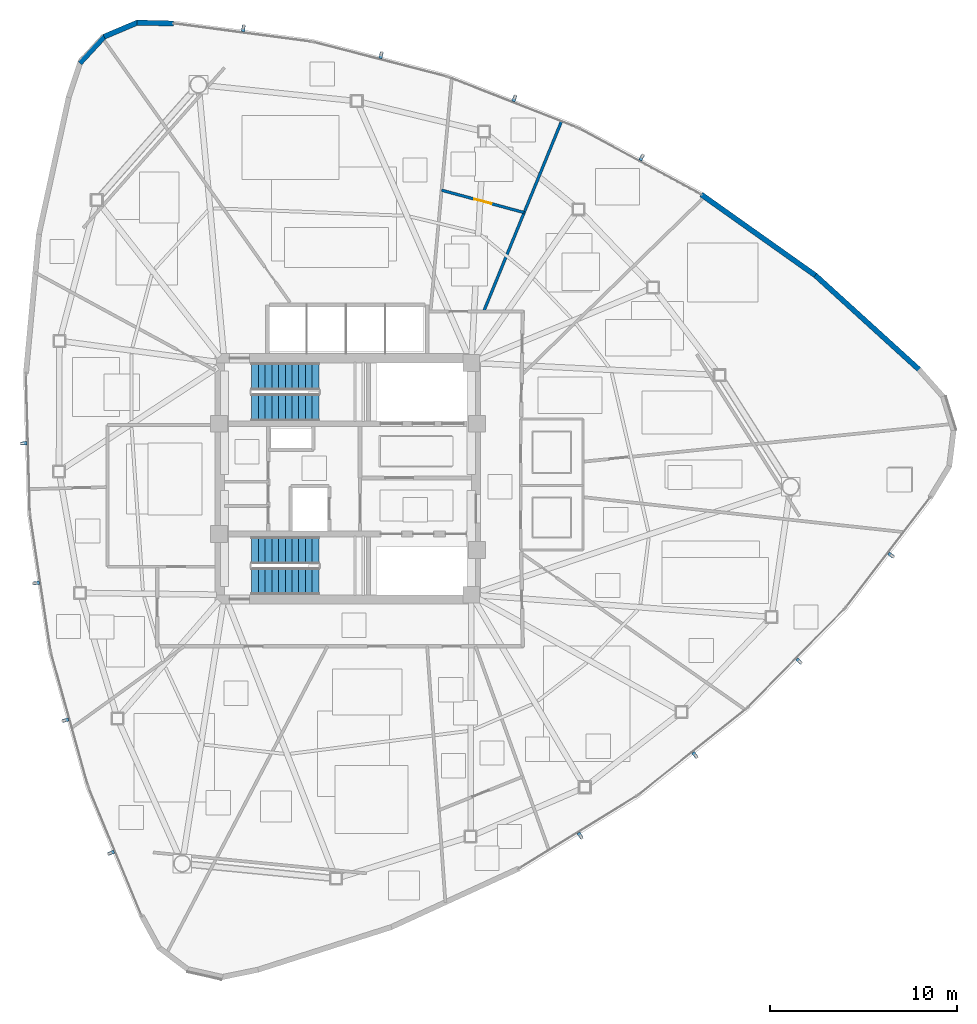
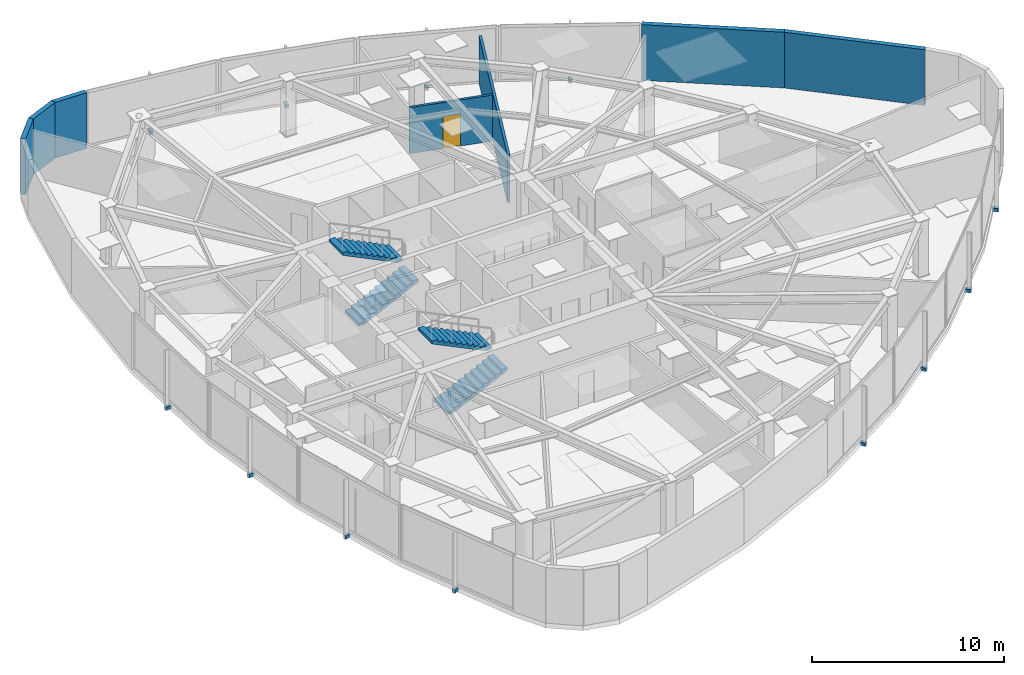
# One storey, part 14 of 18: 12 discrete accessories, 7 walls, 4 stair flights, 1 door, 1 opening, 2 elements without a shape of their own.
"""IFC4 building model written with IfcOpenShell, lengths in metres."""

from ifc_helpers import new_model, si_unit, direction, frame, frame_2d, origin, origin_2d, place, context, subcontext, project, spatial, polyline, rectangle, outline, extrude, source, transform, mapped, material, layer, layer_set, type_object, type_shapes, element, fill, aggregate, save


model = new_model("IFC4")

# Units and contexts
model_context = context("Model", 3, precision=1e-05, world=origin(), true_north=direction((0.0, 1.0)))
body_context = subcontext(model_context, "Body", "Model", "MODEL_VIEW")
ifc_project = project(units=[si_unit("LENGTHUNIT", "METRE"), si_unit("AREAUNIT", "SQUARE_METRE"), si_unit("VOLUMEUNIT", "CUBIC_METRE"), si_unit("PLANEANGLEUNIT", "RADIAN"), si_unit("MASSUNIT", "GRAM", prefix="KILO")], contexts=[model_context])

# Site, building, storey
site_placement = place(None, origin())
site = spatial("IfcSite", under=ifc_project, at=site_placement, CompositionType="ELEMENT")
building_placement = place(site_placement, origin())
building = spatial("IfcBuilding", under=site, at=building_placement, Name="Tavelor Broadcast Tower", CompositionType="ELEMENT")
storey_placement = place(building_placement, frame((0.0, 0.0, 181.050048828125)))
storey = spatial("IfcBuildingStorey", under=building, at=storey_placement, Name="L43", CompositionType="ELEMENT", Elevation=181.050048828125)

# Walls
ifc_material_1 = material(Name="Precast Concrete C40/50", Category="concrete")
ifc_layer_1 = layer(ifc_material_1, 0.280029296875)
ifc_layer_set_1 = layer_set([ifc_layer_1], Name="Precast Concrete C40/50")
wall_type_1 = type_object("IfcWallType", Name="Insulated Precast Terracotta Facade Wall 280 mm", PredefinedType="STANDARD", material=ifc_layer_set_1)
wall_1_placement = place(storey_placement, frame((40.672119140625, 69.35498046875, 0.0), z_axis=(0.0, 0.0, 1.0), x_axis=(-0.999720906983, 0.023624312506, 0.0)))
element("IfcWall", 1, at=wall_1_placement, inside=storey, type_object=wall_type_1, Name="L43 Rounded Corner Structural Cladding Pier 01", PredefinedType="STANDARD", context=body_context, shape_type="SweptSolid", body=[
    extrude(rectangle(XDim=1.953125, YDim=0.280029296875, at=frame_2d((0.9765625, 0.0))), origin(), (0.0, 0.0, 1.0), 3.550048828125),
])
wall_2_placement = place(storey_placement, frame((38.748291015625, 69.406494140625, 0.0), z_axis=(0.0, 0.0, 1.0), x_axis=(-0.920866543543, -0.389877941134, 0.0)))
element("IfcWall", 2, at=wall_2_placement, inside=storey, type_object=wall_type_1, Name="L43 Rounded Corner Structural Cladding Pier 02", PredefinedType="STANDARD", context=body_context, shape_type="SweptSolid", body=[
    extrude(rectangle(XDim=1.941162109375, YDim=0.280029296875, at=frame_2d((0.970703125, 0.0))), origin(), (0.0, 0.0, 1.0), 3.550048828125),
])
wall_3_placement = place(storey_placement, frame((36.98486328125, 68.66650390625, 0.0), z_axis=(0.0, 0.0, 1.0), x_axis=(-0.6788335602, -0.73429217451, 0.0)))
element("IfcWall", 3, at=wall_3_placement, inside=storey, type_object=wall_type_1, Name="L43 Rounded Corner Structural Cladding Pier 03", PredefinedType="STANDARD", context=body_context, shape_type="SweptSolid", body=[
    extrude(rectangle(XDim=1.94140625, YDim=0.280029296875, at=frame_2d((0.970703125, 0.0))), origin(), (0.0, 0.0, 1.0), 3.550048828125),
])
wall_4_placement = place(storey_placement, frame((80.560546875, 50.832763671875, 0.0), z_axis=(0.0, 0.0, 1.0), x_axis=(-0.7399165635, 0.672698653974, 0.0)))
element("IfcWall", 4, at=wall_4_placement, inside=storey, type_object=wall_type_1, Name="L43 Rounded Corner Structural Cladding Pier 25", PredefinedType="STANDARD", context=body_context, shape_type="SweptSolid", body=[
    extrude(rectangle(XDim=7.518310546875, YDim=0.280029296875, at=frame_2d((3.75927734375, 0.0))), origin(), (0.0, 0.0, 1.0), 3.550048828125),
])
wall_5_placement = place(storey_placement, frame((75.02099609375, 55.87158203125, 0.0), z_axis=(0.0, 0.0, 1.0), x_axis=(-0.815874885048, 0.578228477289, 0.0)))
element("IfcWall", 5, at=wall_5_placement, inside=storey, type_object=wall_type_1, Name="L43 Rounded Corner Structural Cladding Pier 26", PredefinedType="STANDARD", context=body_context, shape_type="SweptSolid", body=[
    extrude(rectangle(XDim=7.506591796875, YDim=0.280029296875, at=frame_2d((3.75341796875, 0.0))), origin(), (0.0, 0.0, 1.0), 3.550048828125),
])
ifc_material_2 = material(Name="Gypsum Acoustic Plasterboard 150 mm", Category="gypsum")
ifc_layer_2 = layer(ifc_material_2, 0.14990234375)
ifc_layer_set_2 = layer_set([ifc_layer_2], Name="Gypsum Acoustic Plasterboard 150 mm")
wall_type_2 = type_object("IfcWallType", Name="Interior Acoustic Partition Wall 150 mm", PredefinedType="PARTITIONING", material=ifc_layer_set_2)
wall_6_placement = place(storey_placement, frame((57.26220703125, 53.949951171875, 0.0), z_axis=(0.0, 0.0, 1.0), x_axis=(0.378706332884, 0.925516889869, 0.0)))
element("IfcWall", 6, at=wall_6_placement, inside=storey, type_object=wall_type_2, Name="L43 Radial Compartment Wall 11", PredefinedType="PARTITIONING", context=body_context, shape_type="SweptSolid", body=[
    extrude(rectangle(XDim=10.99560546875, YDim=0.14990234375, at=frame_2d((5.497802734375, 0.0))), origin(), (0.0, 0.0, 1.0), 3.02490234375),
])

# Wall, opening, door
wall_7_placement = place(storey_placement, frame((59.427490234375, 59.24169921875, 0.0), z_axis=(0.0, 0.0, 1.0), x_axis=(-0.965156774758, 0.26167231443, 0.0)))
wall_7 = element("IfcWall", 7, at=wall_7_placement, inside=storey, type_object=wall_type_2, Name="L43 Suite Chord Partition Wall 02", PredefinedType="PARTITIONING", context=body_context, shape_type="SweptSolid", body=[
    extrude(rectangle(XDim=4.575439453125, YDim=0.14990234375, at=frame_2d((2.28759765625, 0.0))), origin(), (0.0, 0.0, 1.0), 2.93505859375),
])
opening_placement = place(wall_7_placement, frame((1.812744140625, 0.0, 0.0)))
opening = element("IfcOpeningElement", 8, at=opening_placement, cuts=wall_7, Name="Opening DR23", PredefinedType="OPENING", context=body_context, shape_type="SweptSolid", body=[
    extrude(rectangle(XDim=0.949951171875, YDim=2.050048828125, at=frame_2d((0.47509765625, 1.02490234375))), frame((0.0, 0.0849609375, 0.0), z_axis=(0.0, -1.0, 0.0), x_axis=(1.0, 0.0, 0.0)), (0.0, 0.0, 1.0), 0.169921875),
])
ifc_material_3 = material(Name="Timber Solid Core Hardwood", Category="wood")
door_type = type_object("IfcDoorType", Name="Editorial Room Acoustic Door 950x2050", OperationType="NOTDEFINED", PredefinedType="DOOR", material=ifc_material_3)
door_placement = place(opening_placement, origin())
door = element("IfcDoor", 9, at=door_placement, inside=storey, type_object=door_type, Name="L43 Outer Suite Partition Door 2", OperationType="SINGLE_SWING_LEFT", OverallHeight=2.050048828125, OverallWidth=0.949951171875, PredefinedType="DOOR", context=body_context, shape_type="SweptSolid", body=[
    extrude(rectangle(XDim=0.949951171875, YDim=2.050048828125, at=frame_2d((0.47509765625, 1.02490234375))), frame((0.0, 0.02490234375, 0.0), z_axis=(0.0, -1.0, 0.0), x_axis=(1.0, 0.0, 0.0)), (0.0, 0.0, 1.0), 0.050048828125),
])
fill(opening, door)

# Stair, stair flights
ifc_material_4 = material(Name="Concrete C40/50", Category="concrete")
stair_type = type_object("IfcStairType", Name="Reinforced Concrete Protected Dogleg Stair 1450 mm", PredefinedType="HALF_TURN_STAIR", material=ifc_material_4)
stair_1_placement = place(storey_placement, origin())
stair_1 = element("IfcStair", 10, at=stair_1_placement, inside=storey, type_object=stair_type, Name="L43 Protected Core Exit Stair ST1", PredefinedType="HALF_TURN_STAIR")
stair_flight_type = type_object("IfcStairFlightType", Name="Reinforced Concrete Stair Flight 1450 mm", PredefinedType="STRAIGHT", material=ifc_material_4)
stair_flight_1_placement = place(storey_placement, frame((44.85009765625, 48.824951171875, 0.0), z_axis=(0.0, 0.0, 1.0), x_axis=(1.0, 0.0, 0.0)))
stair_flight_1 = element("IfcStairFlight", 11, at=stair_flight_1_placement, type_object=stair_flight_type, Name="ST1 flight 1", NumberOfRisers=11, NumberOfTreads=10, PredefinedType="STRAIGHT", RiserHeight=0.175, TreadLength=0.36, context=body_context, shape_type="SweptSolid", body=[
    extrude(outline(polyline([(0.0, 0.0), (0.0, 0.175048828125), (0.360107421875, 0.175048828125), (0.360107421875, 0.35009765625), (0.719970703125, 0.35009765625), (0.719970703125, 0.52490234375), (1.080078125, 0.52490234375), (1.080078125, 0.699951171875), (1.43994140625, 0.699951171875), (1.43994140625, 0.875), (1.800048828125, 0.875), (1.800048828125, 1.050048828125), (2.159912109375, 1.050048828125), (2.159912109375, 1.22509765625), (2.52001953125, 1.22509765625), (2.52001953125, 1.39990234375), (2.8798828125, 1.39990234375), (2.8798828125, 1.574951171875), (3.239990234375, 1.574951171875), (3.239990234375, 1.75), (3.60009765625, 1.75), (3.60009765625, 1.925048828125), (3.60009765625, 1.583251953125), (0.3427734375, 0.0), (0.0, 0.0)])), frame((0.0, 0.72509765625, 0.0), z_axis=(0.0, -1.0, 0.0), x_axis=(1.0, 0.0, 0.0)), (0.0, 0.0, 1.0), 1.449951171875),
])
stair_flight_2_placement = place(storey_placement, frame((48.449951171875, 50.47509765625, 1.925048828125), z_axis=(0.0, 0.0, 1.0), x_axis=(-1.0, 0.0, 0.0)))
stair_flight_2 = element("IfcStairFlight", 12, at=stair_flight_2_placement, type_object=stair_flight_type, Name="ST1 flight 2", NumberOfRisers=11, NumberOfTreads=10, PredefinedType="STRAIGHT", RiserHeight=0.175, TreadLength=0.36, context=body_context, shape_type="SweptSolid", body=[
    extrude(outline(polyline([(0.0, 0.0), (0.0, 0.175048828125), (0.360107421875, 0.175048828125), (0.360107421875, 0.35009765625), (0.719970703125, 0.35009765625), (0.719970703125, 0.52490234375), (1.080078125, 0.52490234375), (1.080078125, 0.699951171875), (1.43994140625, 0.699951171875), (1.43994140625, 0.875), (1.800048828125, 0.875), (1.800048828125, 1.050048828125), (2.159912109375, 1.050048828125), (2.159912109375, 1.22509765625), (2.52001953125, 1.22509765625), (2.52001953125, 1.39990234375), (2.8798828125, 1.39990234375), (2.8798828125, 1.574951171875), (3.239990234375, 1.574951171875), (3.239990234375, 1.75), (3.60009765625, 1.75), (3.60009765625, 1.925048828125), (3.60009765625, 1.583251953125), (0.3427734375, 0.0), (0.0, 0.0)])), frame((0.0, 0.72509765625, 0.0), z_axis=(0.0, -1.0, 0.0), x_axis=(1.0, 0.0, 0.0)), (0.0, 0.0, 1.0), 1.449951171875),
])
aggregate(stair_1, [stair_flight_1, stair_flight_2])

stair_2_placement = place(storey_placement, origin())
stair_2 = element("IfcStair", 13, at=stair_2_placement, inside=storey, type_object=stair_type, Name="L43 Protected Core Exit Stair ST2", PredefinedType="HALF_TURN_STAIR")
stair_flight_3_placement = place(storey_placement, frame((44.85009765625, 39.52490234375, 0.0), z_axis=(0.0, 0.0, 1.0), x_axis=(1.0, 0.0, 0.0)))
stair_flight_3 = element("IfcStairFlight", 14, at=stair_flight_3_placement, type_object=stair_flight_type, Name="ST2 flight 1", NumberOfRisers=11, NumberOfTreads=10, PredefinedType="STRAIGHT", RiserHeight=0.175, TreadLength=0.36, context=body_context, shape_type="SweptSolid", body=[
    extrude(outline(polyline([(0.0, 0.0), (0.0, 0.175048828125), (0.360107421875, 0.175048828125), (0.360107421875, 0.35009765625), (0.719970703125, 0.35009765625), (0.719970703125, 0.52490234375), (1.080078125, 0.52490234375), (1.080078125, 0.699951171875), (1.43994140625, 0.699951171875), (1.43994140625, 0.875), (1.800048828125, 0.875), (1.800048828125, 1.050048828125), (2.159912109375, 1.050048828125), (2.159912109375, 1.22509765625), (2.52001953125, 1.22509765625), (2.52001953125, 1.39990234375), (2.8798828125, 1.39990234375), (2.8798828125, 1.574951171875), (3.239990234375, 1.574951171875), (3.239990234375, 1.75), (3.60009765625, 1.75), (3.60009765625, 1.925048828125), (3.60009765625, 1.583251953125), (0.3427734375, 0.0), (0.0, 0.0)])), frame((0.0, 0.72509765625, 0.0), z_axis=(0.0, -1.0, 0.0), x_axis=(1.0, 0.0, 0.0)), (0.0, 0.0, 1.0), 1.449951171875),
])
stair_flight_4_placement = place(storey_placement, frame((48.449951171875, 41.175048828125, 1.925048828125), z_axis=(0.0, 0.0, 1.0), x_axis=(-1.0, 0.0, 0.0)))
stair_flight_4 = element("IfcStairFlight", 15, at=stair_flight_4_placement, type_object=stair_flight_type, Name="ST2 flight 2", NumberOfRisers=11, NumberOfTreads=10, PredefinedType="STRAIGHT", RiserHeight=0.175, TreadLength=0.36, context=body_context, shape_type="SweptSolid", body=[
    extrude(outline(polyline([(0.0, 0.0), (0.0, 0.175048828125), (0.360107421875, 0.175048828125), (0.360107421875, 0.35009765625), (0.719970703125, 0.35009765625), (0.719970703125, 0.52490234375), (1.080078125, 0.52490234375), (1.080078125, 0.699951171875), (1.43994140625, 0.699951171875), (1.43994140625, 0.875), (1.800048828125, 0.875), (1.800048828125, 1.050048828125), (2.159912109375, 1.050048828125), (2.159912109375, 1.22509765625), (2.52001953125, 1.22509765625), (2.52001953125, 1.39990234375), (2.8798828125, 1.39990234375), (2.8798828125, 1.574951171875), (3.239990234375, 1.574951171875), (3.239990234375, 1.75), (3.60009765625, 1.75), (3.60009765625, 1.925048828125), (3.60009765625, 1.583251953125), (0.3427734375, 0.0), (0.0, 0.0)])), frame((0.0, 0.72509765625, 0.0), z_axis=(0.0, -1.0, 0.0), x_axis=(1.0, 0.0, 0.0)), (0.0, 0.0, 1.0), 1.449951171875),
])
aggregate(stair_2, [stair_flight_3, stair_flight_4])

# Discrete accessories
ifc_material_5 = material(Name="Steel S355", Category="steel")
discrete_accessory_type = type_object("IfcDiscreteAccessoryType", Name="Stainless Baguette Outrigger Support Bracket 260x180", PredefinedType="BRACKET", material=ifc_material_5)
shared_shape = source(origin(), body_context, "Body", "SweptSolid", [
    extrude(rectangle(XDim=0.179931640625, YDim=0.340087890625, at=origin_2d()), origin(), (0.0, 0.0, 1.0), 0.216064453125),
])
type_shapes(discrete_accessory_type, [shared_shape])
for number, where, z_axis, x_axis, name in (
    (16, (32.664306640625, 46.896484375, -0.25830078125), (0.0, 0.0, 1.0), (0.02827056677, -0.99960030765, 0.0), "L43 Baguette Outrigger Bracket 445"),
    (17, (33.3310546875, 39.426025390625, -0.25830078125), (0.0, 0.0, 1.0), (0.149190193254, -0.988808518489, 0.0), "L43 Baguette Outrigger Bracket 446"),
    (18, (34.89697265625, 32.0908203125, -0.25830078125), (0.0, 0.0, 1.0), (0.267742895148, -0.963490395436, 0.0), "L43 Baguette Outrigger Bracket 447"),
    (19, (37.3388671875, 24.9990234375, -0.25830078125), (0.0, 0.0, 1.0), (0.382360914263, -0.92401305794, 0.0), "L43 Baguette Outrigger Bracket 448"),
    (20, (62.42529296875, 25.9208984375, -0.25830078125), (0.0, 0.0, 1.0), (0.851452459024, 0.524431797303, 0.0), "L43 Baguette Outrigger Bracket 449"),
    (21, (68.561767578125, 30.233642578125, -0.25830078125), (0.0, 0.0, 1.0), (0.781738199863, 0.623606756598, 0.0), "L43 Baguette Outrigger Bracket 450"),
    (22, (74.131103515625, 35.257080078125, -0.25830078125), (0.0, 0.0, 1.0), (0.700535711176, 0.713617346599, 0.0), "L43 Baguette Outrigger Bracket 451"),
    (23, (79.0517578125, 40.91796875, -0.25830078125), (0.0, 0.0, 1.0), (0.609038324474, 0.793140794136, 0.0), "L43 Baguette Outrigger Bracket 452"),
    (24, (65.71044921875, 62.1826171875, -0.25830078125), (0.0, 0.0, 1.0), (-0.879814543441, 0.475317124823, 0.0), "L43 Baguette Outrigger Bracket 453"),
    (25, (58.9072265625, 65.340576171875, -0.25830078125), (0.0, 0.0, 1.0), (-0.930928393117, 0.365201761892, 0.0), "L43 Baguette Outrigger Bracket 454"),
    (26, (51.771728515625, 67.652099609375, -0.25830078125), (0.0, 0.0, 1.0), (-0.968278606324, 0.249873048837, 0.0), "L43 Baguette Outrigger Bracket 455"),
    (27, (44.4091796875, 69.0830078125, -0.25830078125), (0.0, 0.0, 1.0), (-0.991399238736, 0.130872263805, 0.0), "L43 Baguette Outrigger Bracket 456"),
):
    element("IfcDiscreteAccessory", number, at=place(storey_placement, frame(where, z_axis=z_axis, x_axis=x_axis)), inside=storey, type_object=discrete_accessory_type, Name=name, PredefinedType="BRACKET", context=body_context, shape_type="MappedRepresentation", body=[
        mapped(shared_shape, transform((0.0, 0.0, 0.0), scale=1.0)),
    ])

save(model, "model.ifc")
